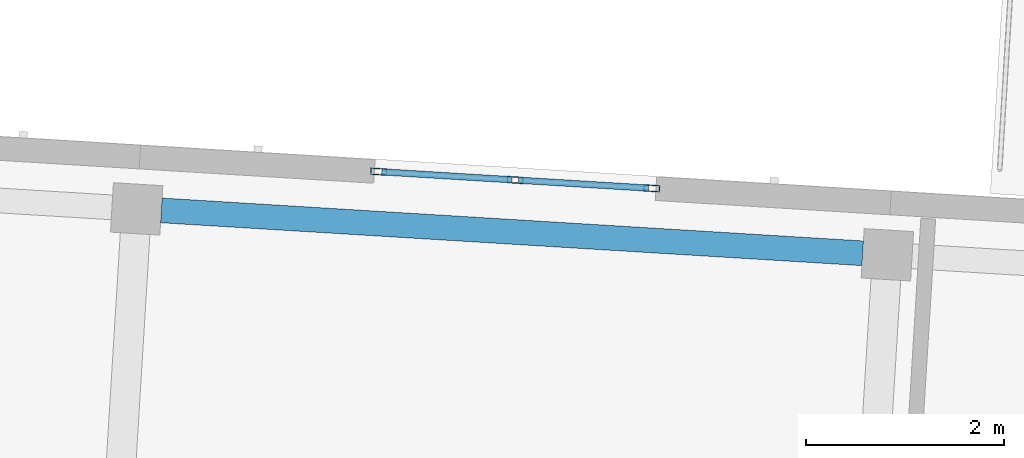
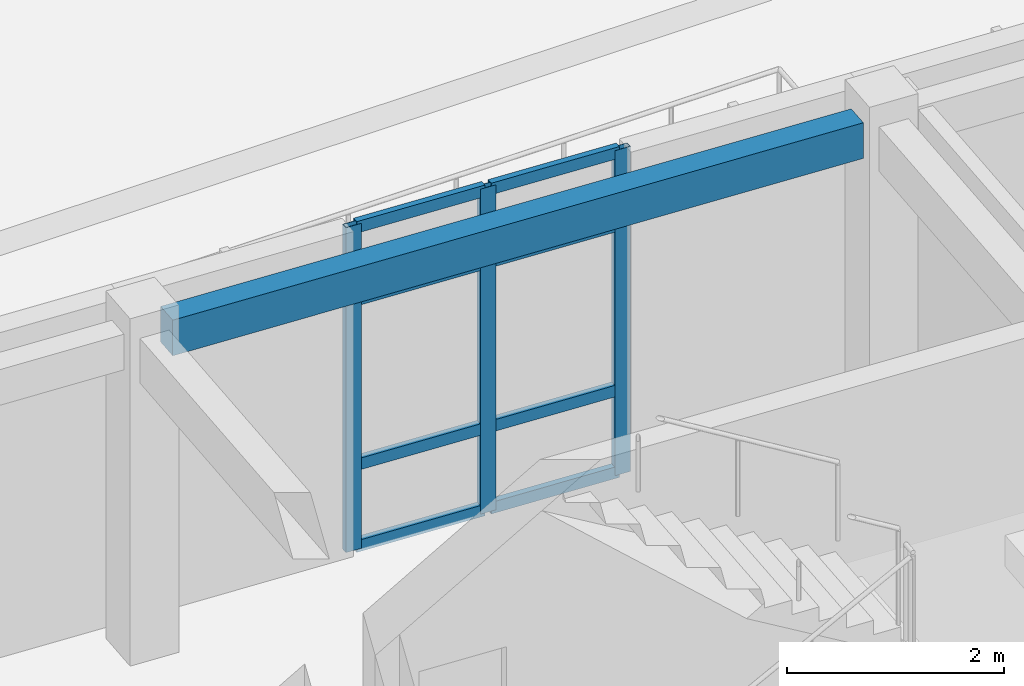
# One storey, part 42 of 150: 11 members, 1 beam, 1 element without a shape of its own.
"""IFC4 building model written with IfcOpenShell, lengths in metres."""

from ifc_helpers import new_model, si_unit, direction, frame, origin, origin_2d, place, context, subcontext, project, spatial, rectangle, hollow_rectangle, extrude, material, material_profile, profile_set, type_object, element, aggregate, save


model = new_model("IFC4")

# Units and contexts
model_context = context("Model", 3, precision=1e-05, world=origin(), true_north=direction((0.0, 1.0)))
body_context = subcontext(model_context, "Body", "Model", "MODEL_VIEW")
ifc_project = project(units=[si_unit("LENGTHUNIT", "METRE"), si_unit("AREAUNIT", "SQUARE_METRE"), si_unit("VOLUMEUNIT", "CUBIC_METRE"), si_unit("PLANEANGLEUNIT", "RADIAN"), si_unit("MASSUNIT", "GRAM", prefix="KILO")], contexts=[model_context])

# Site, building, storey
site_placement = place(None, origin())
site = spatial("IfcSite", under=ifc_project, at=site_placement, CompositionType="ELEMENT")
building_placement = place(site_placement, origin())
building = spatial("IfcBuilding", under=site, at=building_placement, Name="Kestramere Prow Commons", CompositionType="ELEMENT")
storey_placement = place(building_placement, frame((0.0, 0.0, 4.5)))
storey = spatial("IfcBuildingStorey", under=building, at=storey_placement, Name="L01", CompositionType="ELEMENT", Elevation=4.5)

# Curtain wall, members
ifc_material_1 = material(Name="Anodised Aluminium and Low-E Glass", Category="aluminium")
curtain_wall_type = type_object("IfcCurtainWallType", Name="CW-02 Glazed Curtain Wall 2830x3650", PredefinedType="USERDEFINED", material=ifc_material_1)
curtain_wall_placement = place(storey_placement, origin())
curtain_wall = element("IfcCurtainWall", 1, at=curtain_wall_placement, inside=storey, type_object=curtain_wall_type, Name="Block C L01 Stairwell Vertical Glazing 3", ObjectType="GLAZED CURTAIN WALL", PredefinedType="USERDEFINED")
ifc_material_2 = material(Name="Anodised Aluminium 6063-T6", Category="aluminium")
ifc_material_profile_1 = material_profile(ifc_material_2, hollow_rectangle(XDim=0.06494140625, YDim=0.159912109375, WallThickness=0.00390625, at=origin_2d()), Name="ALU-MUL 65x160")
ifc_profile_set_1 = profile_set([ifc_material_profile_1], Name="Anodised Aluminium 6063-T6")
member_type_1 = type_object("IfcMemberType", Name="CW-MUL-65x160", PredefinedType="MULLION", material=ifc_profile_set_1)
member_1_placement = place(storey_placement, frame((78.313232421875, 65.511962890625, 0.0), z_axis=(0.0, 0.0, 1.0), x_axis=(0.061048399176, 0.998134807007, 0.0)))
member_1 = element("IfcMember", 2, at=member_1_placement, type_object=member_type_1, Name="CW-02 mullion 1", PredefinedType="MULLION", context=body_context, shape_type="SweptSolid", body=[
    extrude(hollow_rectangle(XDim=0.06494140625, YDim=0.159912109375, WallThickness=0.00390625, at=origin_2d()), origin(), (0.0, 0.0, 1.0), 3.64990234375),
])
member_2_placement = place(storey_placement, frame((79.693115234375, 65.427490234375, 0.0), z_axis=(0.0, 0.0, 1.0), x_axis=(0.061048399176, 0.998134807007, 0.0)))
member_2 = element("IfcMember", 3, at=member_2_placement, type_object=member_type_1, Name="CW-02 mullion 2", PredefinedType="MULLION", context=body_context, shape_type="SweptSolid", body=[
    extrude(hollow_rectangle(XDim=0.06494140625, YDim=0.159912109375, WallThickness=0.00390625, at=origin_2d()), origin(), (0.0, 0.0, 1.0), 3.64990234375),
])
member_3_placement = place(storey_placement, frame((81.072998046875, 65.34326171875, 0.0), z_axis=(0.0, 0.0, 1.0), x_axis=(0.061048399176, 0.998134807007, 0.0)))
member_3 = element("IfcMember", 4, at=member_3_placement, type_object=member_type_1, Name="CW-02 mullion 3", PredefinedType="MULLION", context=body_context, shape_type="SweptSolid", body=[
    extrude(hollow_rectangle(XDim=0.06494140625, YDim=0.159912109375, WallThickness=0.00390625, at=origin_2d()), origin(), (0.0, 0.0, 1.0), 3.64990234375),
])
ifc_material_profile_2 = material_profile(ifc_material_2, hollow_rectangle(XDim=0.06494140625, YDim=0.1298828125, WallThickness=0.00390625, at=origin_2d()), Name="ALU-TRN 65x130")
ifc_profile_set_2 = profile_set([ifc_material_profile_2], Name="Anodised Aluminium 6063-T6")
member_type_2 = type_object("IfcMemberType", Name="CW-TRN-65x130", PredefinedType="USERDEFINED", material=ifc_profile_set_2)
member_4_placement = place(storey_placement, frame((78.345703125, 65.510009765625, 0.032470703125), z_axis=(0.99812826429, -0.061155277983, 0.0), x_axis=(0.061155277983, 0.99812826429, 0.0)))
member_4 = element("IfcMember", 5, at=member_4_placement, type_object=member_type_2, Name="CW-02 transom 1.1", ObjectType="TRANSOM", PredefinedType="USERDEFINED", context=body_context, shape_type="SweptSolid", body=[
    extrude(hollow_rectangle(XDim=0.06494140625, YDim=0.1298828125, WallThickness=0.00390625, at=origin_2d()), origin(), (0.0, 0.0, 1.0), 1.3173828125),
])
member_5_placement = place(storey_placement, frame((78.345703125, 65.510009765625, 0.949951171875), z_axis=(0.99812826429, -0.061155277983, 0.0), x_axis=(0.061155277983, 0.99812826429, 0.0)))
member_5 = element("IfcMember", 6, at=member_5_placement, type_object=member_type_2, Name="CW-02 transom 1.2", ObjectType="TRANSOM", PredefinedType="USERDEFINED", context=body_context, shape_type="SweptSolid", body=[
    extrude(hollow_rectangle(XDim=0.06494140625, YDim=0.1298828125, WallThickness=0.00390625, at=origin_2d()), origin(), (0.0, 0.0, 1.0), 1.3173828125),
])
member_6_placement = place(storey_placement, frame((78.345703125, 65.510009765625, 2.800048828125), z_axis=(0.99812826429, -0.061155277983, 0.0), x_axis=(0.061155277983, 0.99812826429, 0.0)))
member_6 = element("IfcMember", 7, at=member_6_placement, type_object=member_type_2, Name="CW-02 transom 1.3", ObjectType="TRANSOM", PredefinedType="USERDEFINED", context=body_context, shape_type="SweptSolid", body=[
    extrude(hollow_rectangle(XDim=0.06494140625, YDim=0.1298828125, WallThickness=0.00390625, at=origin_2d()), origin(), (0.0, 0.0, 1.0), 1.3173828125),
])
member_7_placement = place(storey_placement, frame((78.345703125, 65.510009765625, 3.617431640625), z_axis=(0.99812826429, -0.061155277983, 0.0), x_axis=(0.061155277983, 0.99812826429, 0.0)))
member_7 = element("IfcMember", 8, at=member_7_placement, type_object=member_type_2, Name="CW-02 transom 1.4", ObjectType="TRANSOM", PredefinedType="USERDEFINED", context=body_context, shape_type="SweptSolid", body=[
    extrude(hollow_rectangle(XDim=0.06494140625, YDim=0.1298828125, WallThickness=0.00390625, at=origin_2d()), origin(), (0.0, 0.0, 1.0), 1.3173828125),
])
member_8_placement = place(storey_placement, frame((79.7255859375, 65.425537109375, 0.032470703125), z_axis=(0.998139559366, -0.06097064891, 0.0), x_axis=(0.06097064891, 0.998139559366, 0.0)))
member_8 = element("IfcMember", 9, at=member_8_placement, type_object=member_type_2, Name="CW-02 transom 2.1", ObjectType="TRANSOM", PredefinedType="USERDEFINED", context=body_context, shape_type="SweptSolid", body=[
    extrude(hollow_rectangle(XDim=0.06494140625, YDim=0.1298828125, WallThickness=0.00390625, at=origin_2d()), origin(), (0.0, 0.0, 1.0), 1.3173828125),
])
member_9_placement = place(storey_placement, frame((79.7255859375, 65.425537109375, 0.949951171875), z_axis=(0.998139559366, -0.06097064891, 0.0), x_axis=(0.06097064891, 0.998139559366, 0.0)))
member_9 = element("IfcMember", 10, at=member_9_placement, type_object=member_type_2, Name="CW-02 transom 2.2", ObjectType="TRANSOM", PredefinedType="USERDEFINED", context=body_context, shape_type="SweptSolid", body=[
    extrude(hollow_rectangle(XDim=0.06494140625, YDim=0.1298828125, WallThickness=0.00390625, at=origin_2d()), origin(), (0.0, 0.0, 1.0), 1.3173828125),
])
member_10_placement = place(storey_placement, frame((79.7255859375, 65.425537109375, 2.800048828125), z_axis=(0.998139559366, -0.06097064891, 0.0), x_axis=(0.06097064891, 0.998139559366, 0.0)))
member_10 = element("IfcMember", 11, at=member_10_placement, type_object=member_type_2, Name="CW-02 transom 2.3", ObjectType="TRANSOM", PredefinedType="USERDEFINED", context=body_context, shape_type="SweptSolid", body=[
    extrude(hollow_rectangle(XDim=0.06494140625, YDim=0.1298828125, WallThickness=0.00390625, at=origin_2d()), origin(), (0.0, 0.0, 1.0), 1.3173828125),
])
member_11_placement = place(storey_placement, frame((79.7255859375, 65.425537109375, 3.617431640625), z_axis=(0.998139559366, -0.06097064891, 0.0), x_axis=(0.06097064891, 0.998139559366, 0.0)))
member_11 = element("IfcMember", 12, at=member_11_placement, type_object=member_type_2, Name="CW-02 transom 2.4", ObjectType="TRANSOM", PredefinedType="USERDEFINED", context=body_context, shape_type="SweptSolid", body=[
    extrude(hollow_rectangle(XDim=0.06494140625, YDim=0.1298828125, WallThickness=0.00390625, at=origin_2d()), origin(), (0.0, 0.0, 1.0), 1.3173828125),
])
aggregate(curtain_wall, [member_1, member_2, member_3, member_4, member_5, member_6, member_7, member_8, member_9, member_10, member_11])

# Beam
ifc_material_3 = material(Name="Precast concrete C40/50", Category="concrete")
ifc_material_profile_3 = material_profile(ifc_material_3, rectangle(XDim=0.25, YDim=0.39990234375, at=origin_2d()), Name="PC-SP 250x400")
ifc_profile_set_3 = profile_set([ifc_material_profile_3], Name="Precast concrete C40/50")
beam_type = type_object("IfcBeamType", Name="SP-EXT-01 PC-SP 250x400", PredefinedType="SPANDREL", material=ifc_profile_set_3)
beam_placement = place(storey_placement, frame((76.11767578125, 65.120361328125, 3.449951171875), z_axis=(0.998133600873, -0.061068116134, 0.0), x_axis=(0.061068116134, 0.998133600873, 0.0)))
element("IfcBeam", 13, at=beam_placement, inside=storey, type_object=beam_type, Name="Block C L01 Longitudinal Beam 4-3", PredefinedType="SPANDREL", context=body_context, shape_type="SweptSolid", body=[
    extrude(rectangle(XDim=0.25, YDim=0.39990234375, at=origin_2d()), origin(), (0.0, 0.0, 1.0), 7.10009765625),
])

save(model, "model.ifc")
